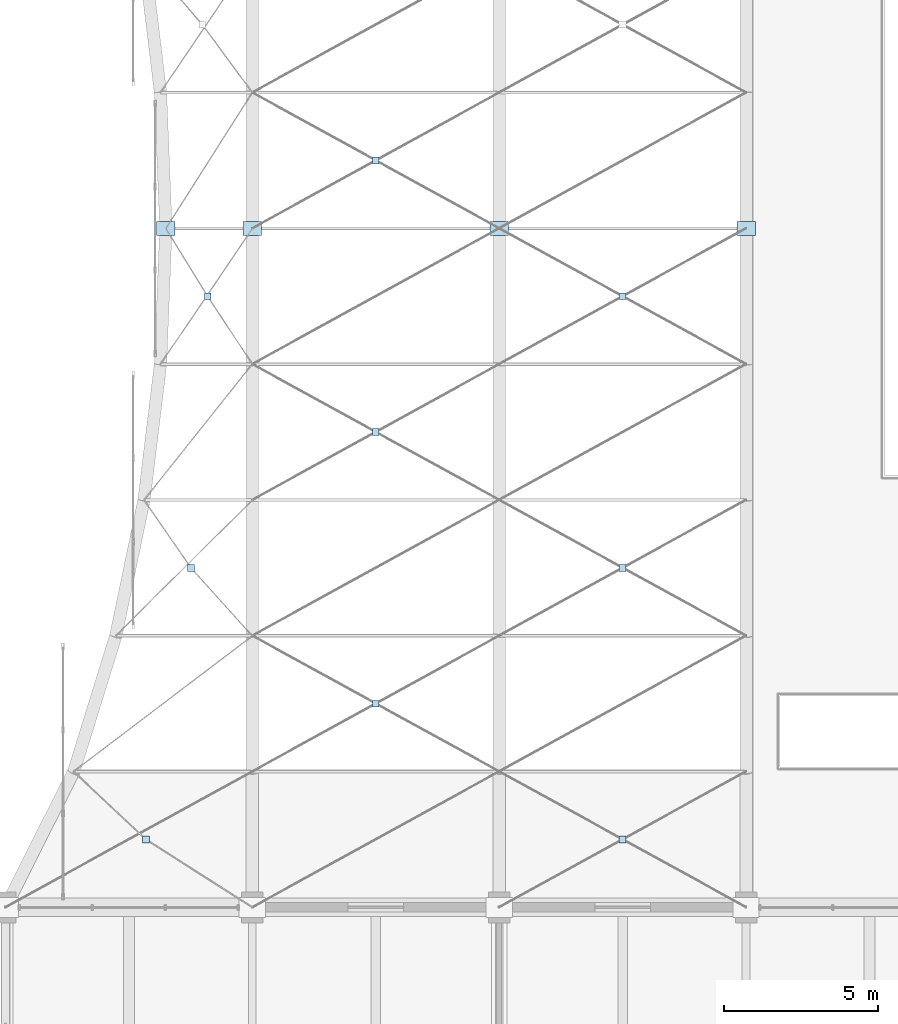
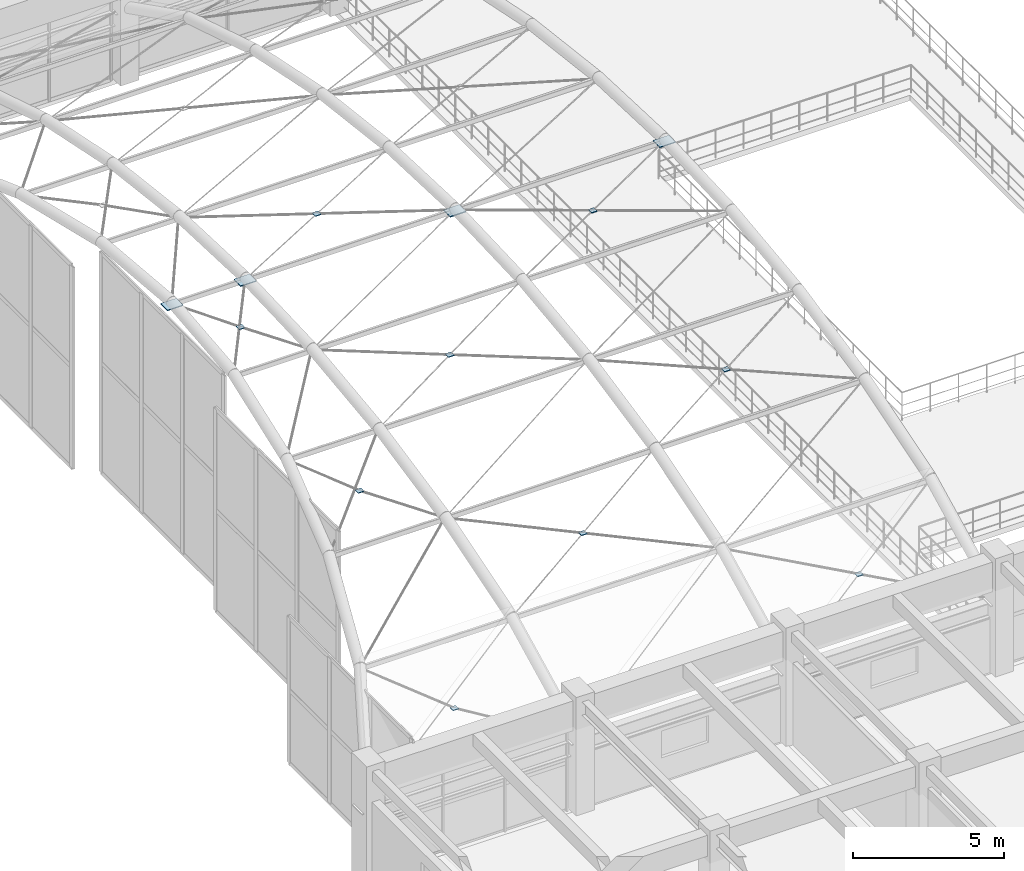
# One storey, part 100 of 144: 13 plates.
"""IFC4 building model written with IfcOpenShell, lengths in metres."""

from ifc_helpers import new_model, si_unit, direction, frame, origin, origin_2d, place, context, subcontext, project, spatial, rectangle, extrude, material, layer, layer_set, type_object, element, save


model = new_model("IFC4")

# Units and contexts
model_context = context("Model", 3, precision=1e-05, world=origin(), true_north=direction((0.0, 1.0)))
body_context = subcontext(model_context, "Body", "Model", "MODEL_VIEW")
ifc_project = project(units=[si_unit("LENGTHUNIT", "METRE"), si_unit("AREAUNIT", "SQUARE_METRE"), si_unit("VOLUMEUNIT", "CUBIC_METRE"), si_unit("PLANEANGLEUNIT", "RADIAN"), si_unit("MASSUNIT", "GRAM", prefix="KILO")], contexts=[model_context])

# Site, building, storey
site_placement = place(None, origin())
site = spatial("IfcSite", under=ifc_project, at=site_placement, CompositionType="ELEMENT")
building_placement = place(site_placement, origin())
building = spatial("IfcBuilding", under=site, at=building_placement, Name="Varnabhumi Central Station", CompositionType="ELEMENT")
storey_placement = place(building_placement, frame((0.0, 0.0, 4.800048828125)))
storey = spatial("IfcBuildingStorey", under=building, at=storey_placement, Name="L01", CompositionType="ELEMENT", Elevation=4.800048828125)

# Plates
ifc_material = material(Name="Structural steel E450", Category="steel")
ifc_layer = layer(ifc_material, 0.035888671875, Name="Structural steel E450", Category="steel")
ifc_layer_set = layer_set([ifc_layer], Name="Structural steel E450")
plate_type = type_object("IfcPlateType", Name="PLT-CLEVIS-C", PredefinedType="SHEET", material=ifc_layer_set)
for number, where, z_axis, x_axis, name in (
    (1, (5.199951171875, 58.0, 7.86181640625), (0.0, 0.0, 1.0), (1.0, 0.0, 0.0), "Forecourt Arrival Canopy Vault Crown Cable Clevis Plate 1"),
    (2, (8.0, 58.0, 7.86181640625), (0.0, 0.0, 1.0), (1.0, 0.0, 0.0), "Forecourt Arrival Canopy Vault Crown Cable Clevis Plate 2"),
    (3, (16.0, 58.0, 7.86181640625), (0.0, 0.0, 1.0), (1.0, 0.0, 0.0), "Forecourt Arrival Canopy Vault Crown Cable Clevis Plate 3"),
    (4, (24.0, 58.0, 7.86181640625), (0.0, 0.0, 1.0), (1.0, 0.0, 0.0), "Forecourt Arrival Canopy Vault Crown Cable Clevis Plate 4"),
):
    element("IfcPlate", number, at=place(storey_placement, frame(where, z_axis=z_axis, x_axis=x_axis)), inside=storey, type_object=plate_type, Name=name, PredefinedType="SHEET", context=body_context, shape_type="SweptSolid", body=[
        extrude(rectangle(XDim=0.60009765625, YDim=0.449951171875, at=origin_2d()), origin(), (0.0, 0.0, 1.0), 0.035888671875),
    ])
for number, where, z_axis, x_axis, name in (
    (5, (4.553466796875, 38.199951171875, 3.81298828125), (0.0, 0.0, 1.0), (1.0, 0.0, 0.0), "Forecourt Arrival Canopy Vault Cable-Net Crossing Clamp Node B1-P1"),
    (6, (6.01708984375, 47.0, 6.740234375), (0.0, 0.0, 1.0), (1.0, 0.0, 0.0), "Forecourt Arrival Canopy Vault Cable-Net Crossing Clamp Node B1-P3"),
    (7, (6.55615234375, 55.800048828125, 7.81787109375), (0.0, 0.0, 1.0), (1.0, 0.0, 0.0), "Forecourt Arrival Canopy Vault Cable-Net Crossing Clamp Node B1-P5"),
    (8, (12.0, 42.60009765625, 5.6015625), (0.0, 0.0, 1.0), (1.0, 0.0, 0.0), "Forecourt Arrival Canopy Vault Cable-Net Crossing Clamp Node B2-P2"),
    (9, (12.0, 51.39990234375, 7.4638671875), (0.0, 0.0, 1.0), (1.0, 0.0, 0.0), "Forecourt Arrival Canopy Vault Cable-Net Crossing Clamp Node B2-P4"),
    (10, (12.0, 60.199951171875, 7.81787109375), (0.0, 0.0, 1.0), (1.0, 0.0, 0.0), "Forecourt Arrival Canopy Vault Cable-Net Crossing Clamp Node B2-P6"),
    (11, (20.0, 38.199951171875, 3.81298828125), (0.0, 0.0, 1.0), (1.0, 0.0, 0.0), "Forecourt Arrival Canopy Vault Cable-Net Crossing Clamp Node B3-P1"),
    (12, (20.0, 47.0, 6.740234375), (0.0, 0.0, 1.0), (1.0, 0.0, 0.0), "Forecourt Arrival Canopy Vault Cable-Net Crossing Clamp Node B3-P3"),
    (13, (20.0, 55.800048828125, 7.81787109375), (0.0, 0.0, 1.0), (1.0, 0.0, 0.0), "Forecourt Arrival Canopy Vault Cable-Net Crossing Clamp Node B3-P5"),
):
    element("IfcPlate", number, at=place(storey_placement, frame(where, z_axis=z_axis, x_axis=x_axis)), inside=storey, type_object=plate_type, Name=name, PredefinedType="SHEET", context=body_context, shape_type="SweptSolid", body=[
        extrude(rectangle(XDim=0.219970703125, YDim=0.219970703125, at=origin_2d()), origin(), (0.0, 0.0, 1.0), 0.028076171875),
    ])

save(model, "model.ifc")
